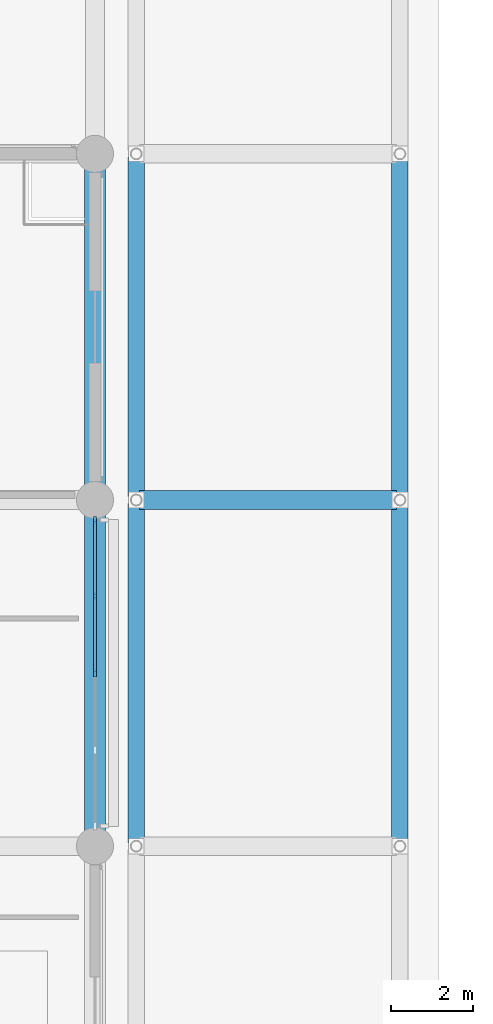
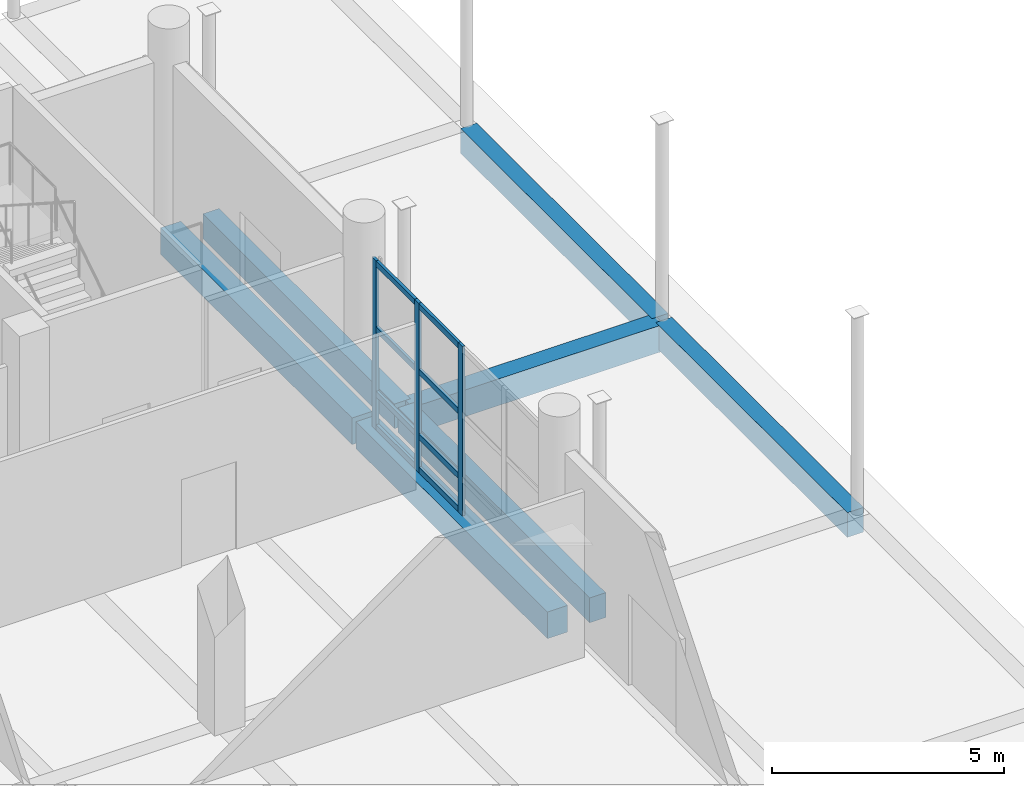
# One storey, part 28 of 140: 11 members, 7 beams, 1 element without a shape of its own.
"""IFC4 building model written with IfcOpenShell, lengths in metres."""

from ifc_helpers import new_model, si_unit, direction, frame, origin, origin_2d, place, context, subcontext, project, spatial, rectangle, extrude, material, layer, layer_set, material_profile, profile_set, type_object, element, aggregate, save


model = new_model("IFC4")

# Units and contexts
model_context = context("Model", 3, precision=1e-05, world=origin(), true_north=direction((0.0, 1.0)))
body_context = subcontext(model_context, "Body", "Model", "MODEL_VIEW")
ifc_project = project(units=[si_unit("LENGTHUNIT", "METRE"), si_unit("AREAUNIT", "SQUARE_METRE"), si_unit("VOLUMEUNIT", "CUBIC_METRE"), si_unit("PLANEANGLEUNIT", "RADIAN"), si_unit("MASSUNIT", "GRAM", prefix="KILO")], contexts=[model_context])

# Site, building, storey
site_placement = place(None, origin())
site = spatial("IfcSite", under=ifc_project, at=site_placement, CompositionType="ELEMENT")
building_placement = place(site_placement, origin())
building = spatial("IfcBuilding", under=site, at=building_placement, Name="Telukmera Botanical Conservatory", CompositionType="ELEMENT")
storey_placement = place(building_placement, origin())
storey = spatial("IfcBuildingStorey", under=building, at=storey_placement, Name="L00", CompositionType="ELEMENT", Elevation=0.0)

# Beams
ifc_material_1 = material(Name="Concrete C40/50", Category="concrete")
ifc_material_profile_1 = material_profile(ifc_material_1, rectangle(XDim=0.5, YDim=0.699951171875, at=origin_2d()), Name="RC 500x700")
ifc_profile_set_1 = profile_set([ifc_material_profile_1], Name="Concrete C40/50")
beam_type_1 = type_object("IfcBeamType", Name="Beam_B14", PredefinedType="BEAM", material=ifc_profile_set_1)
for number, where, z_axis, x_axis, name in (
    (1, (42.0, 58.080078125, -0.35009765625), (0.0, 1.0, 0.0), (-1.0, 0.0, 0.0), "Visitor Wing Transverse Beam L00"),
    (2, (42.0, 66.47998046875, -0.35009765625), (0.0, 1.0, 0.0), (-1.0, 0.0, 0.0), "Visitor Wing Transverse Beam L00"),
):
    element("IfcBeam", number, at=place(storey_placement, frame(where, z_axis=z_axis, x_axis=x_axis)), inside=storey, type_object=beam_type_1, Name=name, PredefinedType="BEAM", context=body_context, shape_type="SweptSolid", body=[
        extrude(rectangle(XDim=0.5, YDim=0.699951171875, at=origin_2d()), origin(), (0.0, 0.0, 1.0), 8.239990234375),
    ])
ifc_material_profile_2 = material_profile(ifc_material_1, rectangle(XDim=0.449951171875, YDim=0.699951171875, at=origin_2d()), Name="RC 450x700")
ifc_profile_set_2 = profile_set([ifc_material_profile_2], Name="Concrete C40/50")
beam_type_2 = type_object("IfcBeamType", Name="Beam_B15", PredefinedType="BEAM", material=ifc_profile_set_2)
beam_placement = place(storey_placement, frame((43.080078125, 66.39990234375, -0.35009765625), z_axis=(1.0, 0.0, 0.0), x_axis=(0.0, 1.0, 0.0)))
element("IfcBeam", 3, at=beam_placement, inside=storey, type_object=beam_type_2, Name="West Arcade Deck Transverse Beam L00", PredefinedType="BEAM", context=body_context, shape_type="SweptSolid", body=[
    extrude(rectangle(XDim=0.449951171875, YDim=0.699951171875, at=origin_2d()), origin(), (0.0, 0.0, 1.0), 6.239990234375),
])
ifc_material_profile_3 = material_profile(ifc_material_1, rectangle(XDim=0.39990234375, YDim=0.64990234375, at=origin_2d()), Name="RC 400x650")
ifc_profile_set_3 = profile_set([ifc_material_profile_3], Name="Concrete C40/50")
beam_type_3 = type_object("IfcBeamType", Name="Beam_B8", PredefinedType="BEAM", material=ifc_profile_set_3)
for number, where, z_axis, x_axis, name in (
    (4, (43.0, 58.080078125, -0.324951171875), (0.0, 1.0, 0.0), (-1.0, 0.0, 0.0), "West Arcade Deck Girder L00"),
    (5, (43.0, 66.47998046875, -0.324951171875), (0.0, 1.0, 0.0), (-1.0, 0.0, 0.0), "West Arcade Deck Girder L00"),
    (6, (49.39990234375, 58.080078125, -0.324951171875), (0.0, 1.0, 0.0), (-1.0, 0.0, 0.0), "West Arcade Deck Girder L00"),
    (7, (49.39990234375, 66.47998046875, -0.324951171875), (0.0, 1.0, 0.0), (-1.0, 0.0, 0.0), "West Arcade Deck Girder L00"),
):
    element("IfcBeam", number, at=place(storey_placement, frame(where, z_axis=z_axis, x_axis=x_axis)), inside=storey, type_object=beam_type_3, Name=name, PredefinedType="BEAM", context=body_context, shape_type="SweptSolid", body=[
        extrude(rectangle(XDim=0.39990234375, YDim=0.64990234375, at=origin_2d()), origin(), (0.0, 0.0, 1.0), 8.239990234375),
    ])

# Curtain wall, members
ifc_material_2 = material(Name="Anodised aluminium 6063-T6", Category="aluminium")
ifc_layer = layer(ifc_material_2, 0.179931640625)
ifc_layer_set = layer_set([ifc_layer], Name="Anodised aluminium 6063-T6")
curtain_wall_type = type_object("IfcCurtainWallType", Name="Visitor Colonnade Ground Curtain Wall 1800 Mod", PredefinedType="USERDEFINED", material=ifc_layer_set)
curtain_wall_placement = place(storey_placement, origin())
curtain_wall = element("IfcCurtainWall", 8, at=curtain_wall_placement, inside=storey, type_object=curtain_wall_type, Name="Unitised Curtain Wall CW06 V3:L00:E6", ObjectType="UNITISED CURTAIN WALL", PredefinedType="USERDEFINED")
ifc_material_profile_4 = material_profile(ifc_material_2, rectangle(XDim=0.070068359375, YDim=0.179931640625, at=origin_2d()), Name="ALU MULL 70x180")
ifc_profile_set_4 = profile_set([ifc_material_profile_4], Name="Anodised aluminium 6063-T6")
member_type_1 = type_object("IfcMemberType", Name="Curtain Wall Extruded Mullion 70x180", PredefinedType="MULLION", material=ifc_profile_set_4)
member_1_placement = place(storey_placement, frame((42.0, 62.199951171875, 0.0), z_axis=(0.0, 0.0, 1.0), x_axis=(-1.0, 0.0, 0.0)))
member_1 = element("IfcMember", 9, at=member_1_placement, type_object=member_type_1, Name="CW06 mullion 3", PredefinedType="MULLION", context=body_context, shape_type="SweptSolid", body=[
    extrude(rectangle(XDim=0.070068359375, YDim=0.179931640625, at=origin_2d()), origin(), (0.0, 0.0, 1.0), 4.449951171875),
])
member_2_placement = place(storey_placement, frame((42.0, 64.073974609375, 0.0), z_axis=(0.0, 0.0, 1.0), x_axis=(-1.0, 0.0, 0.0)))
member_2 = element("IfcMember", 10, at=member_2_placement, type_object=member_type_1, Name="CW06 mullion 4", PredefinedType="MULLION", context=body_context, shape_type="SweptSolid", body=[
    extrude(rectangle(XDim=0.070068359375, YDim=0.179931640625, at=origin_2d()), origin(), (0.0, 0.0, 1.0), 4.449951171875),
])
member_3_placement = place(storey_placement, frame((42.0, 65.9130859375, 0.0), z_axis=(0.0, 0.0, 1.0), x_axis=(-1.0, 0.0, 0.0)))
member_3 = element("IfcMember", 11, at=member_3_placement, type_object=member_type_1, Name="CW06 mullion 5", PredefinedType="MULLION", context=body_context, shape_type="SweptSolid", body=[
    extrude(rectangle(XDim=0.070068359375, YDim=0.179931640625, at=origin_2d()), origin(), (0.0, 0.0, 1.0), 4.449951171875),
])
ifc_material_profile_5 = material_profile(ifc_material_2, rectangle(XDim=0.070068359375, YDim=0.14990234375, at=origin_2d()), Name="ALU TRAN 70x150")
ifc_profile_set_5 = profile_set([ifc_material_profile_5], Name="Anodised aluminium 6063-T6")
member_type_2 = type_object("IfcMemberType", Name="Curtain Wall Extruded Transom 70x150", PredefinedType="USERDEFINED", material=ifc_profile_set_5)
member_4_placement = place(storey_placement, frame((42.0, 62.235107421875, 0.074951171875), z_axis=(0.0, 1.0, 0.0), x_axis=(-1.0, 0.0, 0.0)))
member_4 = element("IfcMember", 12, at=member_4_placement, type_object=member_type_2, Name="CW06 transom 3.1", ObjectType="TRANSOM", PredefinedType="USERDEFINED", context=body_context, shape_type="SweptSolid", body=[
    extrude(rectangle(XDim=0.070068359375, YDim=0.14990234375, at=origin_2d()), origin(), (0.0, 0.0, 1.0), 1.803955078125),
])
member_5_placement = place(storey_placement, frame((42.0, 62.235107421875, 0.949951171875), z_axis=(0.0, 1.0, 0.0), x_axis=(-1.0, 0.0, 0.0)))
member_5 = element("IfcMember", 13, at=member_5_placement, type_object=member_type_2, Name="CW06 transom 3.2", ObjectType="TRANSOM", PredefinedType="USERDEFINED", context=body_context, shape_type="SweptSolid", body=[
    extrude(rectangle(XDim=0.070068359375, YDim=0.14990234375, at=origin_2d()), origin(), (0.0, 0.0, 1.0), 1.803955078125),
])
member_6_placement = place(storey_placement, frame((42.0, 62.235107421875, 2.64990234375), z_axis=(0.0, 1.0, 0.0), x_axis=(-1.0, 0.0, 0.0)))
member_6 = element("IfcMember", 14, at=member_6_placement, type_object=member_type_2, Name="CW06 transom 3.3", ObjectType="TRANSOM", PredefinedType="USERDEFINED", context=body_context, shape_type="SweptSolid", body=[
    extrude(rectangle(XDim=0.070068359375, YDim=0.14990234375, at=origin_2d()), origin(), (0.0, 0.0, 1.0), 1.803955078125),
])
member_7_placement = place(storey_placement, frame((42.0, 62.235107421875, 4.375), z_axis=(0.0, 1.0, 0.0), x_axis=(-1.0, 0.0, 0.0)))
member_7 = element("IfcMember", 15, at=member_7_placement, type_object=member_type_2, Name="CW06 transom 3.4", ObjectType="TRANSOM", PredefinedType="USERDEFINED", context=body_context, shape_type="SweptSolid", body=[
    extrude(rectangle(XDim=0.070068359375, YDim=0.14990234375, at=origin_2d()), origin(), (0.0, 0.0, 1.0), 1.803955078125),
])
member_8_placement = place(storey_placement, frame((42.0, 64.10888671875, 0.074951171875), z_axis=(0.0, 1.0, 0.0), x_axis=(-1.0, 0.0, 0.0)))
member_8 = element("IfcMember", 16, at=member_8_placement, type_object=member_type_2, Name="CW06 transom 4.1", ObjectType="TRANSOM", PredefinedType="USERDEFINED", context=body_context, shape_type="SweptSolid", body=[
    extrude(rectangle(XDim=0.070068359375, YDim=0.14990234375, at=origin_2d()), origin(), (0.0, 0.0, 1.0), 1.76904296875),
])
member_9_placement = place(storey_placement, frame((42.0, 64.10888671875, 0.949951171875), z_axis=(0.0, 1.0, 0.0), x_axis=(-1.0, 0.0, 0.0)))
member_9 = element("IfcMember", 17, at=member_9_placement, type_object=member_type_2, Name="CW06 transom 4.2", ObjectType="TRANSOM", PredefinedType="USERDEFINED", context=body_context, shape_type="SweptSolid", body=[
    extrude(rectangle(XDim=0.070068359375, YDim=0.14990234375, at=origin_2d()), origin(), (0.0, 0.0, 1.0), 1.76904296875),
])
member_10_placement = place(storey_placement, frame((42.0, 64.10888671875, 2.64990234375), z_axis=(0.0, 1.0, 0.0), x_axis=(-1.0, 0.0, 0.0)))
member_10 = element("IfcMember", 18, at=member_10_placement, type_object=member_type_2, Name="CW06 transom 4.3", ObjectType="TRANSOM", PredefinedType="USERDEFINED", context=body_context, shape_type="SweptSolid", body=[
    extrude(rectangle(XDim=0.070068359375, YDim=0.14990234375, at=origin_2d()), origin(), (0.0, 0.0, 1.0), 1.76904296875),
])
member_11_placement = place(storey_placement, frame((42.0, 64.10888671875, 4.375), z_axis=(0.0, 1.0, 0.0), x_axis=(-1.0, 0.0, 0.0)))
member_11 = element("IfcMember", 19, at=member_11_placement, type_object=member_type_2, Name="CW06 transom 4.4", ObjectType="TRANSOM", PredefinedType="USERDEFINED", context=body_context, shape_type="SweptSolid", body=[
    extrude(rectangle(XDim=0.070068359375, YDim=0.14990234375, at=origin_2d()), origin(), (0.0, 0.0, 1.0), 1.76904296875),
])
aggregate(curtain_wall, [member_1, member_2, member_3, member_4, member_5, member_6, member_7, member_8, member_9, member_10, member_11])

save(model, "model.ifc")
